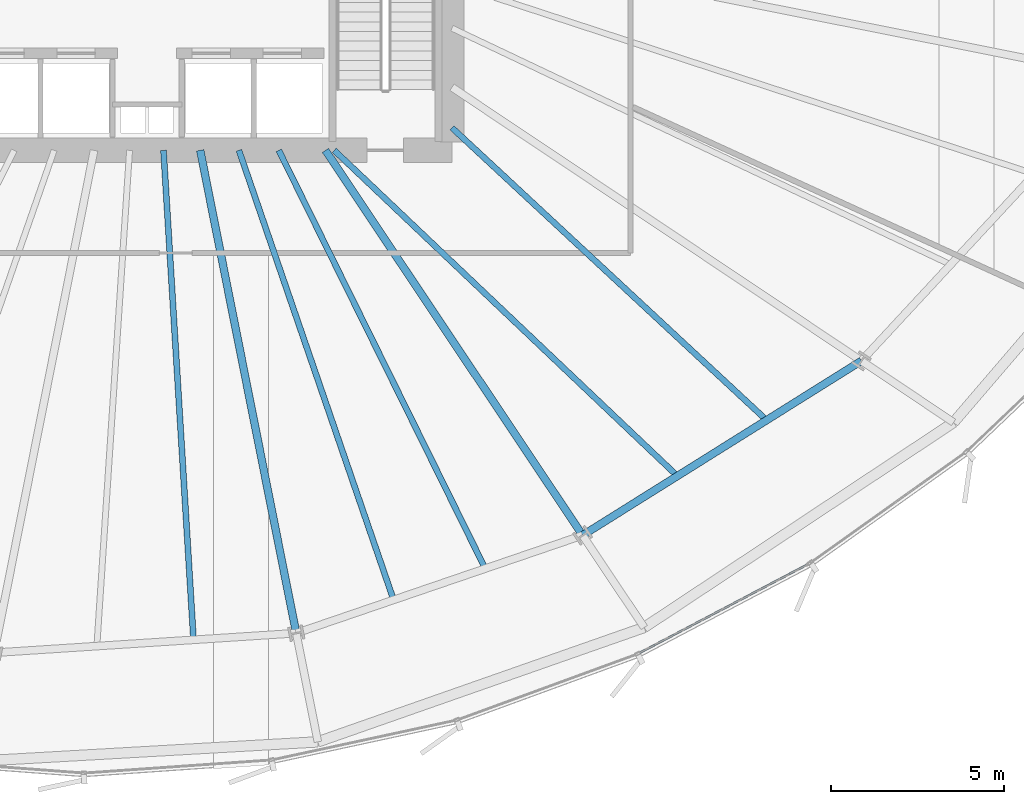
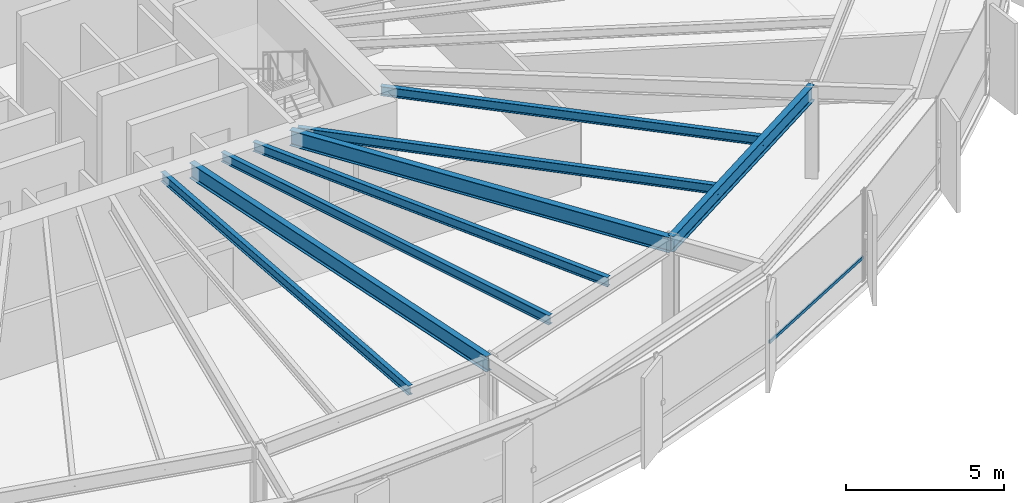
# One storey, part 12 of 38: 8 beams, 1 member, 1 element without a shape of its own.
"""IFC4 building model written with IfcOpenShell, lengths in metres."""

from ifc_helpers import new_model, si_unit, direction, frame, origin, origin_2d, place, context, subcontext, project, spatial, hollow_rectangle, i_section, extrude, source, transform, mapped, material, layer, layer_set, material_profile, profile_set, type_object, element, aggregate, save


model = new_model("IFC4")

# Units and contexts
model_context = context("Model", 3, precision=1e-05, world=origin(), true_north=direction((0.0, 1.0)))
body_context = subcontext(model_context, "Body", "Model", "MODEL_VIEW")
ifc_project = project(units=[si_unit("LENGTHUNIT", "METRE"), si_unit("AREAUNIT", "SQUARE_METRE"), si_unit("VOLUMEUNIT", "CUBIC_METRE"), si_unit("PLANEANGLEUNIT", "RADIAN"), si_unit("MASSUNIT", "GRAM", prefix="KILO"), si_unit("THERMODYNAMICTEMPERATUREUNIT", "KELVIN")], contexts=[model_context])

# Site, building, storey
site_placement = place(None, origin())
site = spatial("IfcSite", under=ifc_project, at=site_placement, CompositionType="ELEMENT")
building_placement = place(site_placement, origin())
building = spatial("IfcBuilding", under=site, at=building_placement, Name="Kethvar Cultural Tower", CompositionType="ELEMENT")
storey_placement = place(building_placement, frame((0.0, 0.0, 63.800048828125)))
storey = spatial("IfcBuildingStorey", under=building, at=storey_placement, Name="L15", CompositionType="ELEMENT", Elevation=63.800048828125)

# Beams
ifc_material_1 = material(Name="Steel S355J2", Category="steel")
ifc_material_profile_1 = material_profile(ifc_material_1, i_section(OverallWidth=0.219970703125, OverallDepth=0.60009765625, WebThickness=0.011962890625, FlangeThickness=0.01904296875, FilletRadius=0.02392578125, at=origin_2d()), Name="Steel S355J2 — IPE600")
ifc_profile_set_1 = profile_set([ifc_material_profile_1], Name="Steel S355J2 — IPE600")
beam_type_1 = type_object("IfcBeamType", Name="BM-IPE600", PredefinedType="BEAM", material=ifc_profile_set_1)
shared_shape_1 = source(origin(), body_context, "Body", "SweptSolid", [
    extrude(i_section(OverallWidth=0.219970703125, OverallDepth=0.60009765625, WebThickness=0.011962890625, FlangeThickness=0.01904296875, FilletRadius=0.02392578125, at=origin_2d()), origin(), (0.0, 0.0, 1.0), 14.210693359375),
])
beam_1_placement = place(storey_placement, frame((48.33154296875, 20.10009765625, 3.248046875), z_axis=(0.195098432651, -0.980783667063, 0.0), x_axis=(0.980783667063, 0.195098432651, 0.0)))
element("IfcBeam", 1, at=beam_1_placement, inside=storey, type_object=beam_type_1, Name="L15 Primary Radial Beam RB-13", PredefinedType="BEAM", context=body_context, shape_type="MappedRepresentation", body=[
    mapped(shared_shape_1, transform((0.0, 0.0, 0.0), scale=1.0)),
])
shared_shape_2 = source(origin(), body_context, "Body", "SweptSolid", [
    extrude(i_section(OverallWidth=0.219970703125, OverallDepth=0.60009765625, WebThickness=0.011962890625, FlangeThickness=0.01904296875, FilletRadius=0.02392578125, at=origin_2d()), origin(), (0.0, 0.0, 1.0), 13.365478515625),
])
beam_2_placement = place(storey_placement, frame((51.945068359375, 20.10009765625, 3.248046875), z_axis=(0.555559834465, -0.831476560301, 0.0), x_axis=(0.831476560301, 0.555559834465, 0.0)))
element("IfcBeam", 2, at=beam_2_placement, inside=storey, type_object=beam_type_1, Name="L15 Primary Radial Beam RB-14", PredefinedType="BEAM", context=body_context, shape_type="MappedRepresentation", body=[
    mapped(shared_shape_2, transform((0.0, 0.0, 0.0), scale=1.0)),
])
ifc_material_profile_2 = material_profile(ifc_material_1, i_section(OverallWidth=0.169921875, OverallDepth=0.360107421875, WebThickness=0.008056640625, FlangeThickness=0.0126953125, FilletRadius=0.01806640625, at=origin_2d()), Name="Steel S355J2 — IPE360")
ifc_profile_set_2 = profile_set([ifc_material_profile_2], Name="Steel S355J2 — IPE360")
beam_type_2 = type_object("IfcBeamType", Name="BM-J360", PredefinedType="JOIST", material=ifc_profile_set_2)
shared_shape_3 = source(origin(), body_context, "Body", "SweptSolid", [
    extrude(i_section(OverallWidth=0.169921875, OverallDepth=0.360107421875, WebThickness=0.008056640625, FlangeThickness=0.0126953125, FilletRadius=0.01806640625, at=origin_2d()), origin(), (0.0, 0.0, 1.0), 14.156494140625),
])
beam_3_placement = place(storey_placement, frame((47.272216796875, 20.10009765625, 3.367919921875), z_axis=(0.06122296991, -0.998124114505, 0.0), x_axis=(0.998124114505, 0.06122296991, 0.0)))
element("IfcBeam", 3, at=beam_3_placement, inside=storey, type_object=beam_type_2, Name="L15 Composite Floor Joist J-12B", PredefinedType="JOIST", context=body_context, shape_type="MappedRepresentation", body=[
    mapped(shared_shape_3, transform((0.0, 0.0, 0.0), scale=1.0)),
])
shared_shape_4 = source(origin(), body_context, "Body", "SweptSolid", [
    extrude(i_section(OverallWidth=0.169921875, OverallDepth=0.360107421875, WebThickness=0.008056640625, FlangeThickness=0.0126953125, FilletRadius=0.01806640625, at=origin_2d()), origin(), (0.0, 0.0, 1.0), 13.7236328125),
])
beam_4_placement = place(storey_placement, frame((49.449462890625, 20.10009765625, 3.367919921875), z_axis=(0.325355191569, -0.945591877778, 0.0), x_axis=(0.945591877778, 0.325355191569, 0.0)))
element("IfcBeam", 4, at=beam_4_placement, inside=storey, type_object=beam_type_2, Name="L15 Composite Floor Joist J-13A", PredefinedType="JOIST", context=body_context, shape_type="MappedRepresentation", body=[
    mapped(shared_shape_4, transform((0.0, 0.0, 0.0), scale=1.0)),
])
shared_shape_5 = source(origin(), body_context, "Body", "SweptSolid", [
    extrude(i_section(OverallWidth=0.169921875, OverallDepth=0.360107421875, WebThickness=0.008056640625, FlangeThickness=0.0126953125, FilletRadius=0.01806640625, at=origin_2d()), origin(), (0.0, 0.0, 1.0), 13.4638671875),
])
beam_5_placement = place(storey_placement, frame((50.6005859375, 20.10009765625, 3.367919921875), z_axis=(0.442609148219, -0.89671463795, 0.0), x_axis=(0.89671463795, 0.442609148219, 0.0)))
element("IfcBeam", 5, at=beam_5_placement, inside=storey, type_object=beam_type_2, Name="L15 Composite Floor Joist J-13B", PredefinedType="JOIST", context=body_context, shape_type="MappedRepresentation", body=[
    mapped(shared_shape_5, transform((0.0, 0.0, 0.0), scale=1.0)),
])
shared_shape_6 = source(origin(), body_context, "Body", "SweptSolid", [
    extrude(i_section(OverallWidth=0.219970703125, OverallDepth=0.60009765625, WebThickness=0.011962890625, FlangeThickness=0.01904296875, FilletRadius=0.02392578125, at=origin_2d()), origin(), (0.0, 0.0, 1.0), 9.493896484375),
])
beam_6_placement = place(storey_placement, frame((59.370361328125, 8.987060546875, 3.248046875), z_axis=(0.847710685997, 0.530458851228, 0.0), x_axis=(-0.530458851228, 0.847710685997, 0.0)))
element("IfcBeam", 6, at=beam_6_placement, inside=storey, type_object=beam_type_1, Name="L15 Column Ring Tie Beam CR-14", PredefinedType="BEAM", context=body_context, shape_type="MappedRepresentation", body=[
    mapped(shared_shape_6, transform((0.0, 0.0, 0.0), scale=1.0)),
])
shared_shape_7 = source(origin(), body_context, "Body", "SweptSolid", [
    extrude(i_section(OverallWidth=0.169921875, OverallDepth=0.360107421875, WebThickness=0.008056640625, FlangeThickness=0.0126953125, FilletRadius=0.01806640625, at=origin_2d()), origin(), (0.0, 0.0, 1.0), 13.656982421875),
])
beam_7_placement = place(storey_placement, frame((52.199951171875, 20.10009765625, 3.367919921875), z_axis=(0.725392974221, -0.688334971472, 0.0), x_axis=(0.688334971472, 0.725392974221, 0.0)))
element("IfcBeam", 7, at=beam_7_placement, inside=storey, type_object=beam_type_2, Name="L15 Composite Floor Joist J-14A", PredefinedType="JOIST", context=body_context, shape_type="MappedRepresentation", body=[
    mapped(shared_shape_7, transform((0.0, 0.0, 0.0), scale=1.0)),
])
shared_shape_8 = source(origin(), body_context, "Body", "SweptSolid", [
    extrude(i_section(OverallWidth=0.169921875, OverallDepth=0.360107421875, WebThickness=0.008056640625, FlangeThickness=0.0126953125, FilletRadius=0.01806640625, at=origin_2d()), origin(), (0.0, 0.0, 1.0), 12.3974609375),
])
beam_8_placement = place(storey_placement, frame((55.60009765625, 20.75, 3.367919921875), z_axis=(0.732566203092, -0.68069578968, 0.0), x_axis=(0.68069578968, 0.732566203092, 0.0)))
element("IfcBeam", 8, at=beam_8_placement, inside=storey, type_object=beam_type_2, Name="L15 Composite Floor Joist J-14B", PredefinedType="JOIST", context=body_context, shape_type="MappedRepresentation", body=[
    mapped(shared_shape_8, transform((0.0, 0.0, 0.0), scale=1.0)),
])

# Curtain wall, member
ifc_material_2 = material(Name="Aluminium 6063-T6", Category="aluminium")
ifc_layer = layer(ifc_material_2, 0.179931640625, Name="Aluminium 6063-T6", Category="aluminium")
ifc_layer_set = layer_set([ifc_layer], Name="Aluminium 6063-T6 (180 mm)")
curtain_wall_type = type_object("IfcCurtainWallType", Name="CW-SYS-02-Z1", PredefinedType="NOTDEFINED", material=ifc_layer_set)
curtain_wall_placement = place(storey_placement, origin())
curtain_wall = element("IfcCurtainWall", 9, at=curtain_wall_placement, inside=storey, type_object=curtain_wall_type, Name="L15 Curtain Wall Run 05", PredefinedType="NOTDEFINED")
ifc_material_profile_3 = material_profile(ifc_material_2, hollow_rectangle(XDim=0.054931640625, YDim=0.1201171875, WallThickness=0.00390625, at=origin_2d()), Name="Aluminium 6063-T6 — RHS120x55x4")
ifc_profile_set_3 = profile_set([ifc_material_profile_3], Name="Aluminium 6063-T6 — RHS120x55x4")
member_type = type_object("IfcMemberType", Name="CW-SYS-02-Z1-TRN", PredefinedType="USERDEFINED", material=ifc_profile_set_3)
shared_shape_9 = source(origin(), body_context, "Body", "SweptSolid", [
    extrude(hollow_rectangle(XDim=0.054931640625, YDim=0.1201171875, WallThickness=0.00390625, at=origin_2d()), origin(), (0.0, 0.0, 1.0), 5.52294921875),
])
member_placement = place(storey_placement, frame((61.001220703125, 5.585205078125, 0.949951171875), z_axis=(0.884776262916, 0.466016056141, 0.0), x_axis=(-0.466016056141, 0.884776262916, 0.0)))
member = element("IfcMember", 10, at=member_placement, type_object=member_type, Name="CW-L15-R05 Transom 6", ObjectType="TRANSOM", PredefinedType="USERDEFINED", context=body_context, shape_type="MappedRepresentation", body=[
    mapped(shared_shape_9, transform((0.0, 0.0, 0.0), scale=1.0)),
])
aggregate(curtain_wall, [member])

save(model, "model.ifc")
